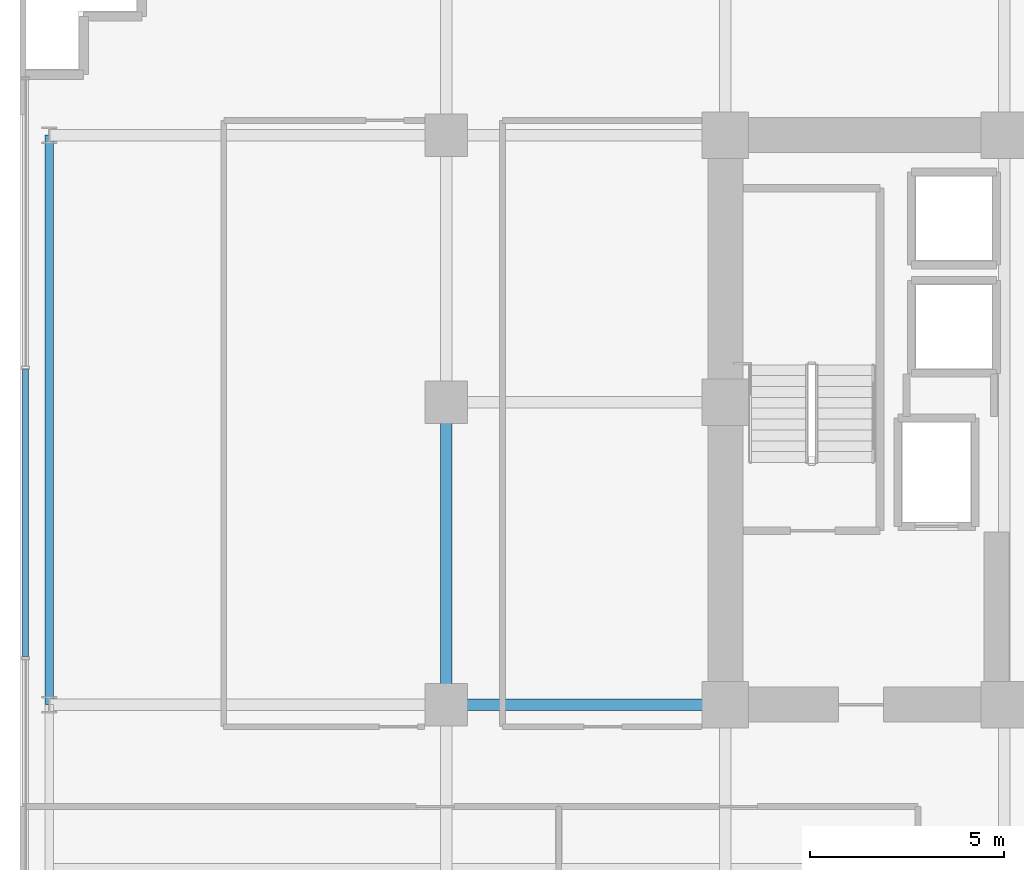
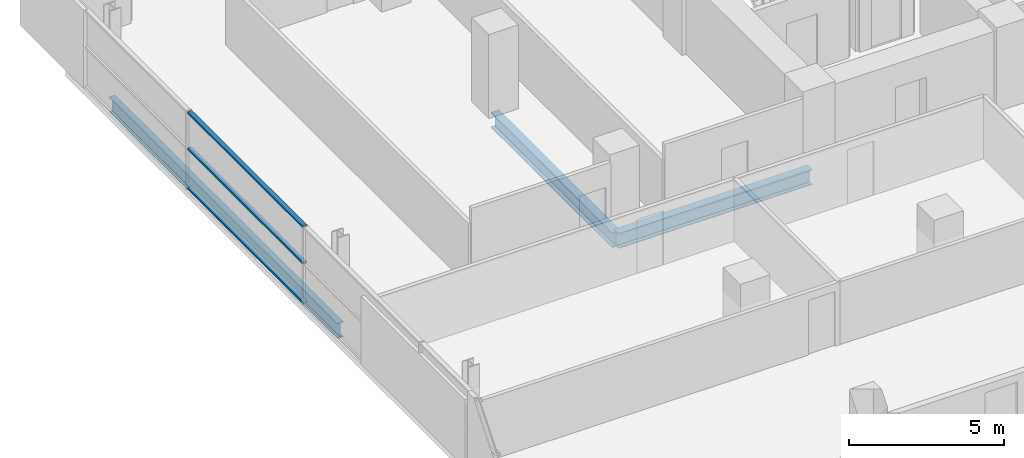
# One storey, part 9 of 29: 3 beams, 3 members, 1 element without a shape of its own.
"""IFC4 building model written with IfcOpenShell, lengths in metres."""

import ifcopenshell
import ifcopenshell.guid

model = None  # the IFC model being written
_history = None  # IfcOwnerHistory: only IFC2X3 demands one
_inside = {}  # id of a spatial element -> (the spatial element, [elements in it])
_under = {}  # id of a project, library or spatial element -> (it, [spatial elements below it])
_declared = {}  # id of a project -> (the project, [libraries it declares])
_typed = {}  # id of a type object -> (the type object, [elements of that type])
_made_of = {}  # id of a material, layer set ... -> (it, [elements and type objects made of it])


def new_model(schema):
    """Start an empty IFC model of exactly this schema.

    Asked for "IFC4X3", IfcOpenShell would pick the latest addendum, in which some entities
    have other attributes; the version numbers below select the first issue.
    IFC2X3 requires an IfcOwnerHistory on every rooted entity: one is made here for all.
    """
    global model, _history
    if schema == "IFC4X3":
        model = ifcopenshell.file(schema_version=(4, 3, 0, 0))
    else:
        model = ifcopenshell.file(schema=schema)
    _inside.clear()
    _under.clear()
    _declared.clear()
    _typed.clear()
    _made_of.clear()
    _history = None
    if model.schema == "IFC2X3":
        org = make("IfcOrganization", Name="unknown")
        user = make(
            "IfcPersonAndOrganization",
            ThePerson=make("IfcPerson", FamilyName="unknown"),
            TheOrganization=org,
        )
        app = make(
            "IfcApplication",
            ApplicationDeveloper=org,
            Version="unknown",
            ApplicationFullName="unknown",
            ApplicationIdentifier="unknown",
        )
        _history = make(
            "IfcOwnerHistory",
            OwningUser=user,
            OwningApplication=app,
            ChangeAction="ADDED",
            CreationDate=0,
        )
    return model


def make(cls, **values):
    """One entity of the class cls with the attributes given. An attribute that is None is left unset."""
    return model.create_entity(
        cls, **{name: value for name, value in values.items() if value is not None}
    )


def rooted(cls, **values):
    """An entity with a GlobalId (a new one), such as an element, a storey or a relation."""
    return make(cls, GlobalId=ifcopenshell.guid.new(), OwnerHistory=_history, **values)


def si_unit(unit_type, name, prefix=None):
    """IfcSIUnit, for example si_unit("LENGTHUNIT", "METRE", prefix="MILLI")."""
    return make("IfcSIUnit", UnitType=unit_type, Prefix=prefix, Name=name)


def assignment(units):
    """IfcUnitAssignment: the units of a project."""
    return None if units is None else make("IfcUnitAssignment", Units=units)


def point(xyz):
    """IfcCartesianPoint."""
    return None if xyz is None else make("IfcCartesianPoint", Coordinates=xyz)


def direction(xyz):
    """IfcDirection."""
    return None if xyz is None else make("IfcDirection", DirectionRatios=xyz)


def frame(location, z_axis=None, x_axis=None):
    """IfcAxis2Placement3D, a coordinate frame: its origin and axes. An axis left out is left unset."""
    return make(
        "IfcAxis2Placement3D",
        Location=point(location),
        Axis=direction(z_axis),
        RefDirection=direction(x_axis),
    )


def frame_2d(location, x_axis=None):
    """IfcAxis2Placement2D, a coordinate frame in the plane: its origin and x axis."""
    return make(
        "IfcAxis2Placement2D", Location=point(location), RefDirection=direction(x_axis)
    )


def origin():
    """The frame at (0, 0, 0) with its axes left unset."""
    return frame((0.0, 0.0, 0.0))


def origin_2d():
    """The frame at (0, 0) in the plane with its x axis left unset."""
    return frame_2d((0.0, 0.0))


def place(relative_to, where):
    """IfcLocalPlacement: puts the frame where relative to a parent placement (None: the world)."""
    return make(
        "IfcLocalPlacement", PlacementRelTo=relative_to, RelativePlacement=where
    )


def context(
    kind, dimensions, precision=None, world=None, true_north=None, identifier=None
):
    """IfcGeometricRepresentationContext, for example the 3D "Model" context."""
    return make(
        "IfcGeometricRepresentationContext",
        ContextIdentifier=identifier,
        ContextType=kind,
        CoordinateSpaceDimension=dimensions,
        Precision=precision,
        WorldCoordinateSystem=world,
        TrueNorth=true_north,
    )


def subcontext(parent, identifier, kind, view, scale=None):
    """IfcGeometricRepresentationSubContext, for example "Body" below "Model"."""
    return make(
        "IfcGeometricRepresentationSubContext",
        ContextIdentifier=identifier,
        ContextType=kind,
        ParentContext=parent,
        TargetScale=scale,
        TargetView=view,
    )


def project(units=None, contexts=None):
    """IfcProject with its units and contexts."""
    return rooted(
        "IfcProject",
        Name="project",
        RepresentationContexts=contexts,
        UnitsInContext=assignment(units),
    )


def spatial(cls, under=None, at=None, **own):
    """A site, building, storey or space (cls), placed at a placement, below another one or the project."""
    s = rooted(cls, ObjectPlacement=at, **own)
    if under is not None:
        _under.setdefault(under.id(), (under, []))[1].append(s)
    return s


def profile(cls, at=None, kind="AREA", **sizes):
    """A parametric profile (cls). Its sizes go by their IFC names, for example OverallWidth=200.0."""
    return make(cls, ProfileType=kind, Position=at, **sizes)


def hollow_rectangle(**sizes):
    """IfcRectangleHollowProfileDef."""
    return profile("IfcRectangleHollowProfileDef", **sizes)


def i_section(**sizes):
    """IfcIShapeProfileDef."""
    return profile("IfcIShapeProfileDef", **sizes)


def extrude(swept, where, along, depth):
    """IfcExtrudedAreaSolid: the profile swept, set in the frame where, extruded along a direction by depth."""
    return make(
        "IfcExtrudedAreaSolid",
        SweptArea=swept,
        Position=where,
        ExtrudedDirection=direction(along),
        Depth=depth,
    )


def shape(context_of_items, identifier, shape_type, items):
    """IfcShapeRepresentation: the items that make up one representation, for example the "Body"."""
    return make(
        "IfcShapeRepresentation",
        ContextOfItems=context_of_items,
        RepresentationIdentifier=identifier,
        RepresentationType=shape_type,
        Items=items,
    )


def source(mapping_origin, context_of_items, identifier, shape_type, items):
    """IfcRepresentationMap: a shape defined once, which mapped items show again and again."""
    return make(
        "IfcRepresentationMap",
        MappingOrigin=mapping_origin,
        MappedRepresentation=shape(context_of_items, identifier, shape_type, items),
    )


def transform(
    local_origin,
    x_axis=None,
    y_axis=None,
    z_axis=None,
    scale=None,
    scale2=None,
    scale3=None,
    uniform=True,
):
    """IfcCartesianTransformationOperator3D, or its non-uniform kind. x_axis, y_axis, z_axis: its Axis1, 2, 3."""
    if uniform:
        return make(
            "IfcCartesianTransformationOperator3D",
            Axis1=direction(x_axis),
            Axis2=direction(y_axis),
            LocalOrigin=point(local_origin),
            Scale=scale,
            Axis3=direction(z_axis),
        )
    return make(
        "IfcCartesianTransformationOperator3DnonUniform",
        Axis1=direction(x_axis),
        Axis2=direction(y_axis),
        LocalOrigin=point(local_origin),
        Scale=scale,
        Axis3=direction(z_axis),
        Scale2=scale2,
        Scale3=scale3,
    )


def mapped(mapping_source, mapping_target):
    """IfcMappedItem: shows the shape of a source again, moved by a transform."""
    return make(
        "IfcMappedItem", MappingSource=mapping_source, MappingTarget=mapping_target
    )


def material(Name=None, Category=None):
    """IfcMaterial."""
    return make("IfcMaterial", Name=Name, Category=Category)


def layer(
    of_material, thickness, ventilated=None, Name=None, Category=None, Priority=None
):
    """IfcMaterialLayer: one layer of a wall or slab, of a material (None: an air gap)."""
    return make(
        "IfcMaterialLayer",
        Material=of_material,
        LayerThickness=thickness,
        IsVentilated=ventilated,
        Name=Name,
        Category=Category,
        Priority=Priority,
    )


def layer_set(layers, Name=None):
    """IfcMaterialLayerSet."""
    return make("IfcMaterialLayerSet", MaterialLayers=layers, LayerSetName=Name)


def material_profile(
    of_material, cross_section, Name=None, Category=None, Priority=None
):
    """IfcMaterialProfile: a cross section and its material."""
    return make(
        "IfcMaterialProfile",
        Name=Name,
        Material=of_material,
        Profile=cross_section,
        Priority=Priority,
        Category=Category,
    )


def profile_set(profiles, Name=None, composite=None):
    """IfcMaterialProfileSet."""
    return make(
        "IfcMaterialProfileSet",
        Name=Name,
        MaterialProfiles=profiles,
        CompositeProfile=composite,
    )


def made_of(thing, what):
    """Note that an element or type object is made of a material, layer set ...; save() writes the relation."""
    if what is not None:
        _made_of.setdefault(what.id(), (what, []))[1].append(thing)
    return thing


def type_object(cls, material=None, **own):
    """A type object (cls), such as IfcWallType, which elements share."""
    return made_of(rooted(cls, **own), material)


def element(
    cls,
    number,
    at=None,
    inside=None,
    cuts=None,
    type_object=None,
    material=None,
    context=None,
    identifier="Body",
    shape_type=None,
    held_by="IfcProductDefinitionShape",
    body=None,
    shapes=None,
    **own,
):
    """One element of the class cls, such as IfcWall. Its Tag is "e" and its number.

    at: its placement. inside: the storey or other place that contains it. cuts: it is an
    opening in that element (IfcRelVoidsElement). A single representation is given by context,
    identifier, shape_type and body (its items); several are given by shapes. held_by: the class
    of the entity that holds the representations. save() writes the other relations.
    """
    e = rooted(cls, Tag="e%d" % number, ObjectPlacement=at, **own)
    if body is not None:
        shapes = [shape(context, identifier, shape_type, body)]
    if shapes is not None:
        e.Representation = make(held_by, Representations=shapes)
    if inside is not None:
        _inside.setdefault(inside.id(), (inside, []))[1].append(e)
    if cuts is not None:
        rooted(
            "IfcRelVoidsElement", RelatingBuildingElement=cuts, RelatedOpeningElement=e
        )
    if type_object is not None:
        _typed.setdefault(type_object.id(), (type_object, []))[1].append(e)
    return made_of(e, material)


def aggregate(whole, parts):
    """IfcRelAggregates: a whole, such as a stair, and the parts it consists of."""
    return rooted("IfcRelAggregates", RelatingObject=whole, RelatedObjects=parts)


def save(model, path):
    """Write the relations noted so far, then the file.

    IfcRelAggregates (storeys below a building ...), IfcRelContainedInSpatialStructure (elements
    in a storey), IfcRelDefinesByType, IfcRelAssociatesMaterial and IfcRelDeclares: one each for
    every whole, place, type object, material and project.
    """
    for whole, parts in _under.values():
        aggregate(whole, parts)
    for where, things in _inside.values():
        rooted(
            "IfcRelContainedInSpatialStructure",
            RelatedElements=things,
            RelatingStructure=where,
        )
    for kind, things in _typed.values():
        rooted("IfcRelDefinesByType", RelatedObjects=things, RelatingType=kind)
    for what, things in _made_of.values():
        rooted("IfcRelAssociatesMaterial", RelatedObjects=things, RelatingMaterial=what)
    for by, libraries in _declared.values():
        rooted("IfcRelDeclares", RelatingContext=by, RelatedDefinitions=libraries)
    model.write(path)


model = new_model("IFC4")

# Units and contexts
model_context = context("Model", 3, precision=1e-05, world=origin(), true_north=direction((0.0, 1.0)))
body_context = subcontext(model_context, "Body", "Model", "MODEL_VIEW")
ifc_project = project(units=[si_unit("LENGTHUNIT", "METRE"), si_unit("AREAUNIT", "SQUARE_METRE"), si_unit("VOLUMEUNIT", "CUBIC_METRE"), si_unit("PLANEANGLEUNIT", "RADIAN"), si_unit("MASSUNIT", "GRAM", prefix="KILO")], contexts=[model_context])

# Site, building, storey
site_placement = place(None, origin())
site = spatial("IfcSite", under=ifc_project, at=site_placement, CompositionType="ELEMENT")
building_placement = place(site_placement, origin())
building = spatial("IfcBuilding", under=site, at=building_placement, Name="Zarnakvel Exchange Tower", CompositionType="ELEMENT")
storey_placement = place(building_placement, frame((0.0, 0.0, 37.300048828125)))
storey = spatial("IfcBuildingStorey", under=building, at=storey_placement, Name="L09", CompositionType="ELEMENT", Elevation=37.300048828125)

# Beams
ifc_material_1 = material(Name="Steel S355", Category="steel")
ifc_material_profile_1 = material_profile(ifc_material_1, i_section(OverallWidth=0.300048828125, OverallDepth=0.60009765625, WebThickness=0.015380859375, FlangeThickness=0.030029296875, FilletRadius=0.027099609375, at=origin_2d()))
ifc_profile_set_1 = profile_set([ifc_material_profile_1], Name="Steel S355")
beam_type_1 = type_object("IfcBeamType", Name="G-04", PredefinedType="BEAM", material=ifc_profile_set_1)
beam_1_placement = place(storey_placement, frame((-21.60009765625, -1.199951171875, -0.525146484375), z_axis=(1.0, 0.0, 0.0), x_axis=(0.0, 1.0, 0.0)))
element("IfcBeam", 1, at=beam_1_placement, inside=storey, type_object=beam_type_1, Name="L09 Tower E-W Frame Beam", PredefinedType="BEAM", context=body_context, shape_type="SweptSolid", body=[
    extrude(i_section(OverallWidth=0.300048828125, OverallDepth=0.60009765625, WebThickness=0.015380859375, FlangeThickness=0.030029296875, FilletRadius=0.027099609375, at=origin_2d()), origin(), (0.0, 0.0, 1.0), 7.2001953125),
])
beam_2_placement = place(storey_placement, frame((-21.60009765625, -1.199951171875, -0.525146484375), z_axis=(0.0, 1.0, 0.0), x_axis=(-1.0, 0.0, 0.0)))
element("IfcBeam", 2, at=beam_2_placement, inside=storey, type_object=beam_type_1, Name="L09 Tower N-S Frame Beam", PredefinedType="BEAM", context=body_context, shape_type="SweptSolid", body=[
    extrude(i_section(OverallWidth=0.300048828125, OverallDepth=0.60009765625, WebThickness=0.015380859375, FlangeThickness=0.030029296875, FilletRadius=0.027099609375, at=origin_2d()), origin(), (0.0, 0.0, 1.0), 7.800048828125),
])
ifc_material_profile_2 = material_profile(ifc_material_1, i_section(OverallWidth=0.219970703125, OverallDepth=0.60009765625, WebThickness=0.011962890625, FlangeThickness=0.01904296875, FilletRadius=0.02392578125, at=origin_2d()))
ifc_profile_set_2 = profile_set([ifc_material_profile_2], Name="Steel S355")
beam_type_2 = type_object("IfcBeamType", Name="SP-01", PredefinedType="SPANDREL", material=ifc_profile_set_2)
beam_3_placement = place(storey_placement, frame((-31.85009765625, -1.199951171875, -0.525146484375), z_axis=(0.0, 1.0, 0.0), x_axis=(-1.0, 0.0, 0.0)))
element("IfcBeam", 3, at=beam_3_placement, inside=storey, type_object=beam_type_2, Name="L09 Tower N-S Frame Beam", PredefinedType="SPANDREL", context=body_context, shape_type="SweptSolid", body=[
    extrude(i_section(OverallWidth=0.219970703125, OverallDepth=0.60009765625, WebThickness=0.011962890625, FlangeThickness=0.01904296875, FilletRadius=0.02392578125, at=origin_2d()), origin(), (0.0, 0.0, 1.0), 14.699951171875),
])

# Curtain wall, members
ifc_material_2 = material(Name="Architectural Bronze Anodised Aluminium", Category="aluminium")
ifc_layer = layer(ifc_material_2, 0.199951171875)
ifc_layer_set = layer_set([ifc_layer], Name="Architectural Bronze Anodised Aluminium")
curtain_wall_type = type_object("IfcCurtainWallType", Name="CW-04", PredefinedType="NOTDEFINED", material=ifc_layer_set)
curtain_wall_placement = place(storey_placement, origin())
curtain_wall = element("IfcCurtainWall", 4, at=curtain_wall_placement, inside=storey, type_object=curtain_wall_type, Name="L09 Curtain Wall CW-L09-W1 (CW-04)", PredefinedType="NOTDEFINED")
ifc_material_profile_3 = material_profile(ifc_material_2, hollow_rectangle(XDim=0.159912109375, YDim=0.074951171875, WallThickness=0.00390625, at=origin_2d()))
ifc_profile_set_3 = profile_set([ifc_material_profile_3], Name="Architectural Bronze Anodised Aluminium")
member_type = type_object("IfcMemberType", Name="CWT-04", PredefinedType="USERDEFINED", material=ifc_profile_set_3)
shared_shape = source(origin(), body_context, "Body", "SweptSolid", [
    extrude(hollow_rectangle(XDim=0.159912109375, YDim=0.074951171875, WallThickness=0.00390625, at=origin_2d()), origin(), (0.0, 0.0, 1.0), 7.4248046875),
])
member_1_placement = place(storey_placement, frame((-32.4599609375, 0.03759765625, 0.037353515625), z_axis=(0.0, 1.0, 0.0), x_axis=(-1.0, 0.0, 0.0)))
member_1 = element("IfcMember", 5, at=member_1_placement, type_object=member_type, Name="CW-04 transom 3.1", ObjectType="TRANSOM", PredefinedType="USERDEFINED", context=body_context, shape_type="MappedRepresentation", body=[
    mapped(shared_shape, transform((0.0, 0.0, 0.0), x_axis=(1.0, 0.0, 0.0), y_axis=(0.0, 1.0, 0.0), z_axis=(0.0, 0.0, 1.0), scale=1.0)),
])
member_2_placement = place(storey_placement, frame((-32.4599609375, 0.03759765625, 1.588623046875), z_axis=(0.0, 1.0, 0.0), x_axis=(-1.0, 0.0, 0.0)))
member_2 = element("IfcMember", 6, at=member_2_placement, type_object=member_type, Name="CW-04 transom 3.2", ObjectType="TRANSOM", PredefinedType="USERDEFINED", context=body_context, shape_type="MappedRepresentation", body=[
    mapped(shared_shape, transform((0.0, 0.0, 0.0), x_axis=(1.0, 0.0, 0.0), y_axis=(0.0, 1.0, 0.0), z_axis=(0.0, 0.0, 1.0), scale=1.0)),
])
member_3_placement = place(storey_placement, frame((-32.4599609375, 0.03759765625, 3.017333984375), z_axis=(0.0, 1.0, 0.0), x_axis=(-1.0, 0.0, 0.0)))
member_3 = element("IfcMember", 7, at=member_3_placement, type_object=member_type, Name="CW-04 transom 3.3", ObjectType="TRANSOM", PredefinedType="USERDEFINED", context=body_context, shape_type="MappedRepresentation", body=[
    mapped(shared_shape, transform((0.0, 0.0, 0.0), x_axis=(1.0, 0.0, 0.0), y_axis=(0.0, 1.0, 0.0), z_axis=(0.0, 0.0, 1.0), scale=1.0)),
])
aggregate(curtain_wall, [member_1, member_2, member_3])

save(model, "model.ifc")
